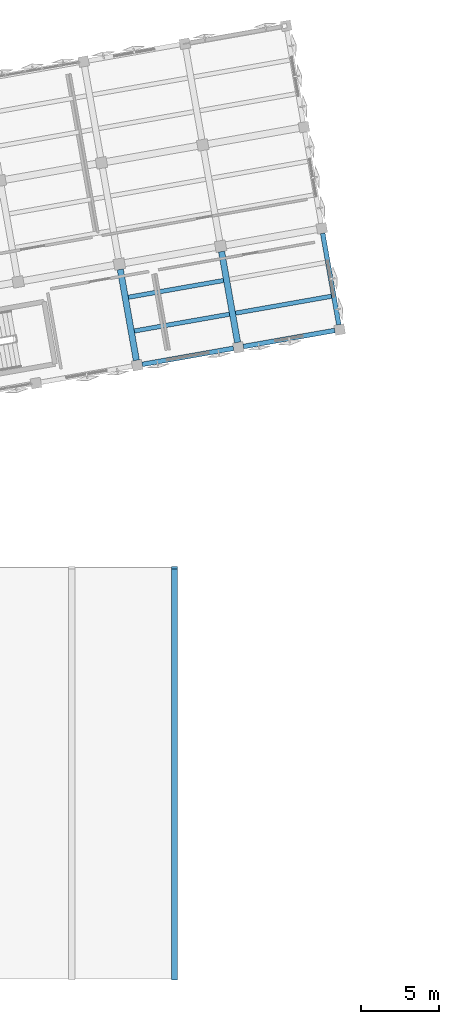
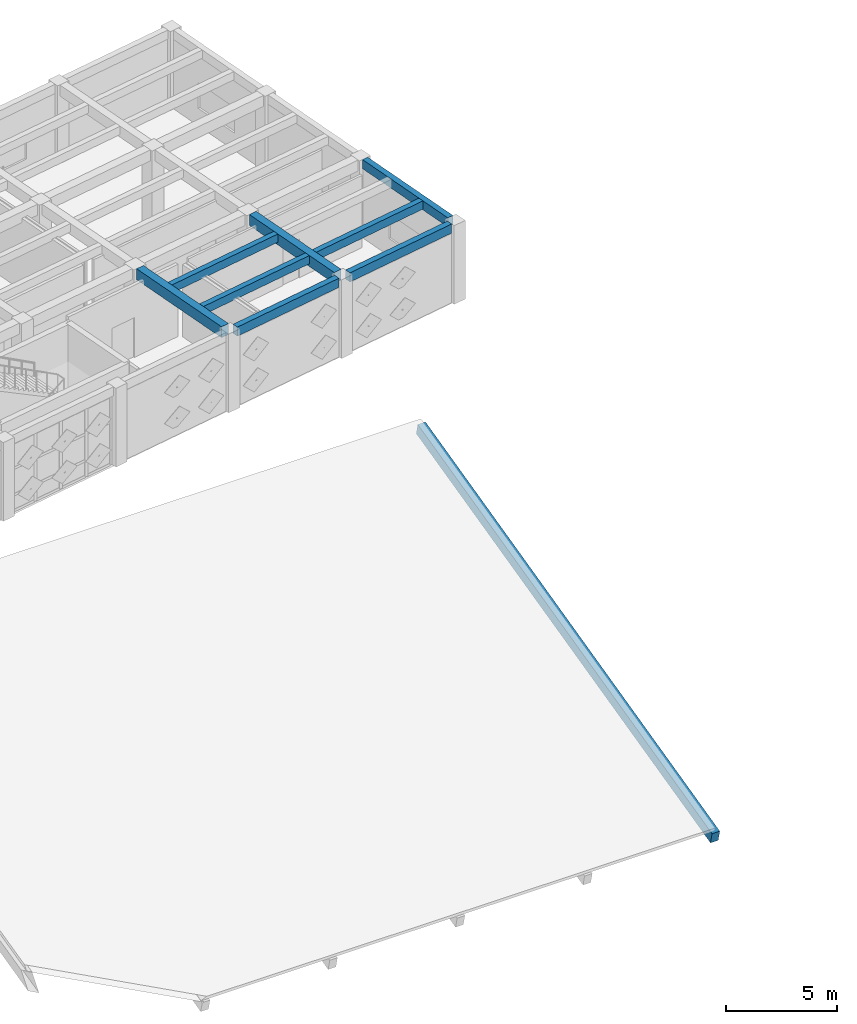
# One storey, part 3 of 39: 9 beams.
"""IFC4 building model written with IfcOpenShell, lengths in metres."""

import ifcopenshell
import ifcopenshell.guid

model = None  # the IFC model being written
_history = None  # IfcOwnerHistory: only IFC2X3 demands one
_inside = {}  # id of a spatial element -> (the spatial element, [elements in it])
_under = {}  # id of a project, library or spatial element -> (it, [spatial elements below it])
_declared = {}  # id of a project -> (the project, [libraries it declares])
_typed = {}  # id of a type object -> (the type object, [elements of that type])
_made_of = {}  # id of a material, layer set ... -> (it, [elements and type objects made of it])


def new_model(schema):
    """Start an empty IFC model of exactly this schema.

    Asked for "IFC4X3", IfcOpenShell would pick the latest addendum, in which some entities
    have other attributes; the version numbers below select the first issue.
    IFC2X3 requires an IfcOwnerHistory on every rooted entity: one is made here for all.
    """
    global model, _history
    if schema == "IFC4X3":
        model = ifcopenshell.file(schema_version=(4, 3, 0, 0))
    else:
        model = ifcopenshell.file(schema=schema)
    _inside.clear()
    _under.clear()
    _declared.clear()
    _typed.clear()
    _made_of.clear()
    _history = None
    if model.schema == "IFC2X3":
        org = make("IfcOrganization", Name="unknown")
        user = make(
            "IfcPersonAndOrganization",
            ThePerson=make("IfcPerson", FamilyName="unknown"),
            TheOrganization=org,
        )
        app = make(
            "IfcApplication",
            ApplicationDeveloper=org,
            Version="unknown",
            ApplicationFullName="unknown",
            ApplicationIdentifier="unknown",
        )
        _history = make(
            "IfcOwnerHistory",
            OwningUser=user,
            OwningApplication=app,
            ChangeAction="ADDED",
            CreationDate=0,
        )
    return model


def make(cls, **values):
    """One entity of the class cls with the attributes given. An attribute that is None is left unset."""
    return model.create_entity(
        cls, **{name: value for name, value in values.items() if value is not None}
    )


def rooted(cls, **values):
    """An entity with a GlobalId (a new one), such as an element, a storey or a relation."""
    return make(cls, GlobalId=ifcopenshell.guid.new(), OwnerHistory=_history, **values)


def si_unit(unit_type, name, prefix=None):
    """IfcSIUnit, for example si_unit("LENGTHUNIT", "METRE", prefix="MILLI")."""
    return make("IfcSIUnit", UnitType=unit_type, Prefix=prefix, Name=name)


def assignment(units):
    """IfcUnitAssignment: the units of a project."""
    return None if units is None else make("IfcUnitAssignment", Units=units)


def point(xyz):
    """IfcCartesianPoint."""
    return None if xyz is None else make("IfcCartesianPoint", Coordinates=xyz)


def direction(xyz):
    """IfcDirection."""
    return None if xyz is None else make("IfcDirection", DirectionRatios=xyz)


def frame(location, z_axis=None, x_axis=None):
    """IfcAxis2Placement3D, a coordinate frame: its origin and axes. An axis left out is left unset."""
    return make(
        "IfcAxis2Placement3D",
        Location=point(location),
        Axis=direction(z_axis),
        RefDirection=direction(x_axis),
    )


def frame_2d(location, x_axis=None):
    """IfcAxis2Placement2D, a coordinate frame in the plane: its origin and x axis."""
    return make(
        "IfcAxis2Placement2D", Location=point(location), RefDirection=direction(x_axis)
    )


def origin():
    """The frame at (0, 0, 0) with its axes left unset."""
    return frame((0.0, 0.0, 0.0))


def origin_2d():
    """The frame at (0, 0) in the plane with its x axis left unset."""
    return frame_2d((0.0, 0.0))


def place(relative_to, where):
    """IfcLocalPlacement: puts the frame where relative to a parent placement (None: the world)."""
    return make(
        "IfcLocalPlacement", PlacementRelTo=relative_to, RelativePlacement=where
    )


def context(
    kind, dimensions, precision=None, world=None, true_north=None, identifier=None
):
    """IfcGeometricRepresentationContext, for example the 3D "Model" context."""
    return make(
        "IfcGeometricRepresentationContext",
        ContextIdentifier=identifier,
        ContextType=kind,
        CoordinateSpaceDimension=dimensions,
        Precision=precision,
        WorldCoordinateSystem=world,
        TrueNorth=true_north,
    )


def subcontext(parent, identifier, kind, view, scale=None):
    """IfcGeometricRepresentationSubContext, for example "Body" below "Model"."""
    return make(
        "IfcGeometricRepresentationSubContext",
        ContextIdentifier=identifier,
        ContextType=kind,
        ParentContext=parent,
        TargetScale=scale,
        TargetView=view,
    )


def project(units=None, contexts=None):
    """IfcProject with its units and contexts."""
    return rooted(
        "IfcProject",
        Name="project",
        RepresentationContexts=contexts,
        UnitsInContext=assignment(units),
    )


def spatial(cls, under=None, at=None, **own):
    """A site, building, storey or space (cls), placed at a placement, below another one or the project."""
    s = rooted(cls, ObjectPlacement=at, **own)
    if under is not None:
        _under.setdefault(under.id(), (under, []))[1].append(s)
    return s


def profile(cls, at=None, kind="AREA", **sizes):
    """A parametric profile (cls). Its sizes go by their IFC names, for example OverallWidth=200.0."""
    return make(cls, ProfileType=kind, Position=at, **sizes)


def rectangle(**sizes):
    """IfcRectangleProfileDef."""
    return profile("IfcRectangleProfileDef", **sizes)


def extrude(swept, where, along, depth):
    """IfcExtrudedAreaSolid: the profile swept, set in the frame where, extruded along a direction by depth."""
    return make(
        "IfcExtrudedAreaSolid",
        SweptArea=swept,
        Position=where,
        ExtrudedDirection=direction(along),
        Depth=depth,
    )


def shape(context_of_items, identifier, shape_type, items):
    """IfcShapeRepresentation: the items that make up one representation, for example the "Body"."""
    return make(
        "IfcShapeRepresentation",
        ContextOfItems=context_of_items,
        RepresentationIdentifier=identifier,
        RepresentationType=shape_type,
        Items=items,
    )


def material(Name=None, Category=None):
    """IfcMaterial."""
    return make("IfcMaterial", Name=Name, Category=Category)


def material_profile(
    of_material, cross_section, Name=None, Category=None, Priority=None
):
    """IfcMaterialProfile: a cross section and its material."""
    return make(
        "IfcMaterialProfile",
        Name=Name,
        Material=of_material,
        Profile=cross_section,
        Priority=Priority,
        Category=Category,
    )


def profile_set(profiles, Name=None, composite=None):
    """IfcMaterialProfileSet."""
    return make(
        "IfcMaterialProfileSet",
        Name=Name,
        MaterialProfiles=profiles,
        CompositeProfile=composite,
    )


def made_of(thing, what):
    """Note that an element or type object is made of a material, layer set ...; save() writes the relation."""
    if what is not None:
        _made_of.setdefault(what.id(), (what, []))[1].append(thing)
    return thing


def type_object(cls, material=None, **own):
    """A type object (cls), such as IfcWallType, which elements share."""
    return made_of(rooted(cls, **own), material)


def element(
    cls,
    number,
    at=None,
    inside=None,
    cuts=None,
    type_object=None,
    material=None,
    context=None,
    identifier="Body",
    shape_type=None,
    held_by="IfcProductDefinitionShape",
    body=None,
    shapes=None,
    **own,
):
    """One element of the class cls, such as IfcWall. Its Tag is "e" and its number.

    at: its placement. inside: the storey or other place that contains it. cuts: it is an
    opening in that element (IfcRelVoidsElement). A single representation is given by context,
    identifier, shape_type and body (its items); several are given by shapes. held_by: the class
    of the entity that holds the representations. save() writes the other relations.
    """
    e = rooted(cls, Tag="e%d" % number, ObjectPlacement=at, **own)
    if body is not None:
        shapes = [shape(context, identifier, shape_type, body)]
    if shapes is not None:
        e.Representation = make(held_by, Representations=shapes)
    if inside is not None:
        _inside.setdefault(inside.id(), (inside, []))[1].append(e)
    if cuts is not None:
        rooted(
            "IfcRelVoidsElement", RelatingBuildingElement=cuts, RelatedOpeningElement=e
        )
    if type_object is not None:
        _typed.setdefault(type_object.id(), (type_object, []))[1].append(e)
    return made_of(e, material)


def aggregate(whole, parts):
    """IfcRelAggregates: a whole, such as a stair, and the parts it consists of."""
    return rooted("IfcRelAggregates", RelatingObject=whole, RelatedObjects=parts)


def save(model, path):
    """Write the relations noted so far, then the file.

    IfcRelAggregates (storeys below a building ...), IfcRelContainedInSpatialStructure (elements
    in a storey), IfcRelDefinesByType, IfcRelAssociatesMaterial and IfcRelDeclares: one each for
    every whole, place, type object, material and project.
    """
    for whole, parts in _under.values():
        aggregate(whole, parts)
    for where, things in _inside.values():
        rooted(
            "IfcRelContainedInSpatialStructure",
            RelatedElements=things,
            RelatingStructure=where,
        )
    for kind, things in _typed.values():
        rooted("IfcRelDefinesByType", RelatedObjects=things, RelatingType=kind)
    for what, things in _made_of.values():
        rooted("IfcRelAssociatesMaterial", RelatedObjects=things, RelatingMaterial=what)
    for by, libraries in _declared.values():
        rooted("IfcRelDeclares", RelatingContext=by, RelatedDefinitions=libraries)
    model.write(path)


model = new_model("IFC4")

# Units and contexts
model_context = context("Model", 3, precision=1e-05, world=origin(), true_north=direction((0.0, 1.0)))
body_context = subcontext(model_context, "Body", "Model", "MODEL_VIEW")
ifc_project = project(units=[si_unit("LENGTHUNIT", "METRE"), si_unit("AREAUNIT", "SQUARE_METRE"), si_unit("VOLUMEUNIT", "CUBIC_METRE"), si_unit("PLANEANGLEUNIT", "RADIAN"), si_unit("MASSUNIT", "GRAM", prefix="KILO")], contexts=[model_context])

# Site, building, storey
site_placement = place(None, origin())
site = spatial("IfcSite", under=ifc_project, at=site_placement, CompositionType="ELEMENT")
building_placement = place(site_placement, origin())
building = spatial("IfcBuilding", under=site, at=building_placement, Name="Kharisveld Research Institute", CompositionType="ELEMENT")
storey_placement = place(building_placement, frame((0.0, 0.0, 23.10009765625)))
storey = spatial("IfcBuildingStorey", under=building, at=storey_placement, Name="L05", CompositionType="ELEMENT", Elevation=23.10009765625)

# Beams
ifc_material_1 = material(Name="Concrete C40/50", Category="concrete")
ifc_material_profile_1 = material_profile(ifc_material_1, rectangle(XDim=0.39990234375, YDim=0.60009765625, at=origin_2d()))
ifc_profile_set_1 = profile_set([ifc_material_profile_1], Name="Concrete C40/50")
beam_type_1 = type_object("IfcBeamType", Name="BM_RC_400x600", PredefinedType="BEAM", material=ifc_profile_set_1)
for number, where, z_axis, x_axis, name in (
    (1, (31.142578125, 39.914306640625, 4.010009765625), (-0.173679554678, 0.984802219883, 0.0), (-0.984802219883, -0.173679554678, 0.0), "BM:V1:L05:V4_0"),
    (2, (37.642333984375, 41.060546875, 4.010009765625), (-0.173679554678, 0.984802219883, 0.0), (-0.984802219883, -0.173679554678, 0.0), "BM:V1:L05:V5_0"),
):
    element("IfcBeam", number, at=place(storey_placement, frame(where, z_axis=z_axis, x_axis=x_axis)), inside=storey, type_object=beam_type_1, Name=name, PredefinedType="BEAM", context=body_context, shape_type="SweptSolid", body=[
        extrude(rectangle(XDim=0.39990234375, YDim=0.60009765625, at=origin_2d()), origin(), (0.0, 0.0, 1.0), 5.925048828125),
    ])
beam_1_placement = place(storey_placement, frame((33.60009765625, 0.199951171875, -0.4951171875), z_axis=(0.0, 0.971851228127, 0.235595395516), x_axis=(-1.0, 0.0, 0.0)))
element("IfcBeam", 3, at=beam_1_placement, inside=storey, type_object=beam_type_1, Name="BM:V3:L05:RAFTER_5", PredefinedType="BEAM", context=body_context, shape_type="SweptSolid", body=[
    extrude(rectangle(XDim=0.39990234375, YDim=0.60009765625, at=origin_2d()), origin(), (0.0, 0.0, 1.0), 27.164794921875),
])
ifc_material_2 = material(Name="Concrete C40/50", Category="concrete")
ifc_material_profile_2 = material_profile(ifc_material_2, rectangle(XDim=0.300048828125, YDim=0.5, at=origin_2d()))
ifc_profile_set_2 = profile_set([ifc_material_profile_2], Name="Concrete C40/50")
beam_type_2 = type_object("IfcBeamType", Name="SP_RC_300x500", PredefinedType="SPANDREL", material=ifc_profile_set_2)
for number, where, z_axis, x_axis, name in (
    (4, (31.51904296875, 39.650634765625, 4.059814453125), (0.984807920462, 0.173647228007, 0.0), (-0.173647228007, 0.984807920462, 0.0), "BM:V1:L05:U4_0"),
    (5, (38.018798828125, 40.796875, 4.059814453125), (0.984807920462, 0.173647228007, 0.0), (-0.173647228007, 0.984807920462, 0.0), "BM:V1:L05:U5_0"),
    (6, (44.141845703125, 42.20654296875, 4.059814453125), (-0.173647228007, 0.984807920462, 0.0), (-0.984807920462, -0.173647228007, 0.0), "BM:V1:L05:V6_0"),
):
    element("IfcBeam", number, at=place(storey_placement, frame(where, z_axis=z_axis, x_axis=x_axis)), inside=storey, type_object=beam_type_2, Name=name, PredefinedType="SPANDREL", context=body_context, shape_type="SweptSolid", body=[
        extrude(rectangle(XDim=0.300048828125, YDim=0.5, at=origin_2d()), origin(), (0.0, 0.0, 1.0), 5.949951171875),
    ])
ifc_material_3 = material(Name="Concrete C40/50", Category="concrete")
ifc_material_profile_3 = material_profile(ifc_material_3, rectangle(XDim=0.280029296875, YDim=0.449951171875, at=origin_2d()))
ifc_profile_set_3 = profile_set([ifc_material_profile_3], Name="Concrete C40/50")
beam_type_3 = type_object("IfcBeamType", Name="WB_RC_280x450", PredefinedType="JOIST", material=ifc_profile_set_3)
for number, where, z_axis, x_axis, name in (
    (7, (31.013916015625, 41.795654296875, 4.0849609375), (0.984806146634, 0.173657287643, 0.0), (-0.173657287643, 0.984806146634, 0.0), "BM:V1:L05:J_4_0_R1"),
    (8, (30.6318359375, 43.962158203125, 4.0849609375), (0.984806146634, 0.173657287643, 0.0), (-0.173657287643, 0.984806146634, 0.0), "BM:V1:L05:J_4_0_R2"),
):
    element("IfcBeam", number, at=place(storey_placement, frame(where, z_axis=z_axis, x_axis=x_axis)), inside=storey, type_object=beam_type_3, Name=name, PredefinedType="JOIST", context=body_context, shape_type="SweptSolid", body=[
        extrude(rectangle(XDim=0.280029296875, YDim=0.449951171875, at=origin_2d()), origin(), (0.0, 0.0, 1.0), 6.199951171875),
    ])
beam_2_placement = place(storey_placement, frame((37.513671875, 42.941650390625, 4.0849609375), z_axis=(0.984803607817, 0.173671684596, 0.0), x_axis=(-0.173671684596, 0.984803607817, 0.0)))
element("IfcBeam", 9, at=beam_2_placement, inside=storey, type_object=beam_type_3, Name="BM:V1:L05:J_5_0_R1", PredefinedType="JOIST", context=body_context, shape_type="SweptSolid", body=[
    extrude(rectangle(XDim=0.280029296875, YDim=0.449951171875, at=origin_2d()), origin(), (0.0, 0.0, 1.0), 6.25),
])

save(model, "model.ifc")
